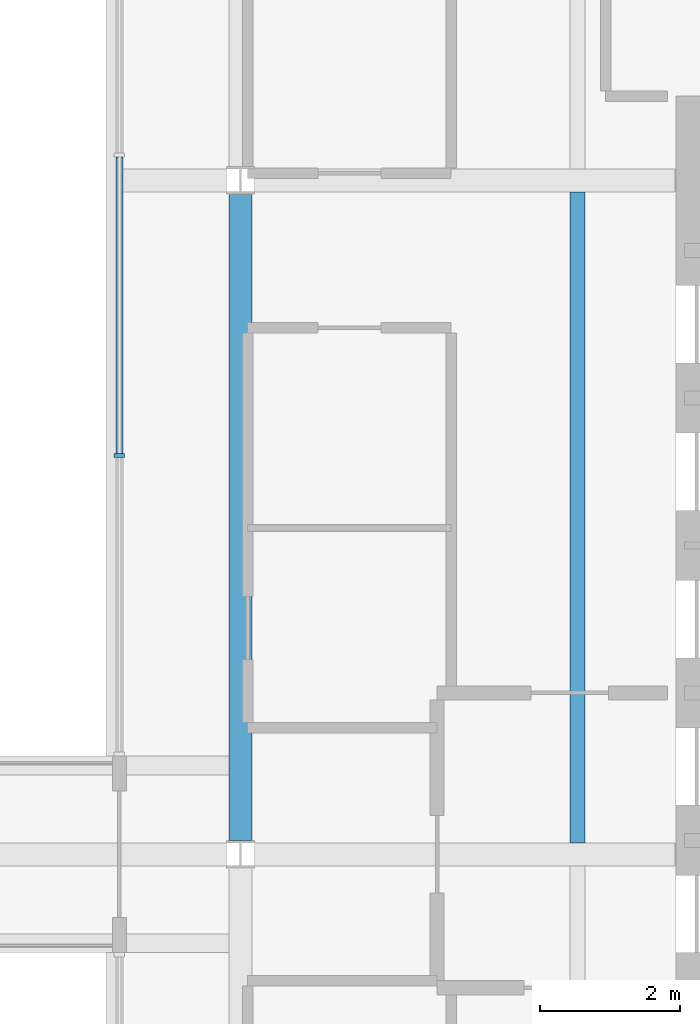
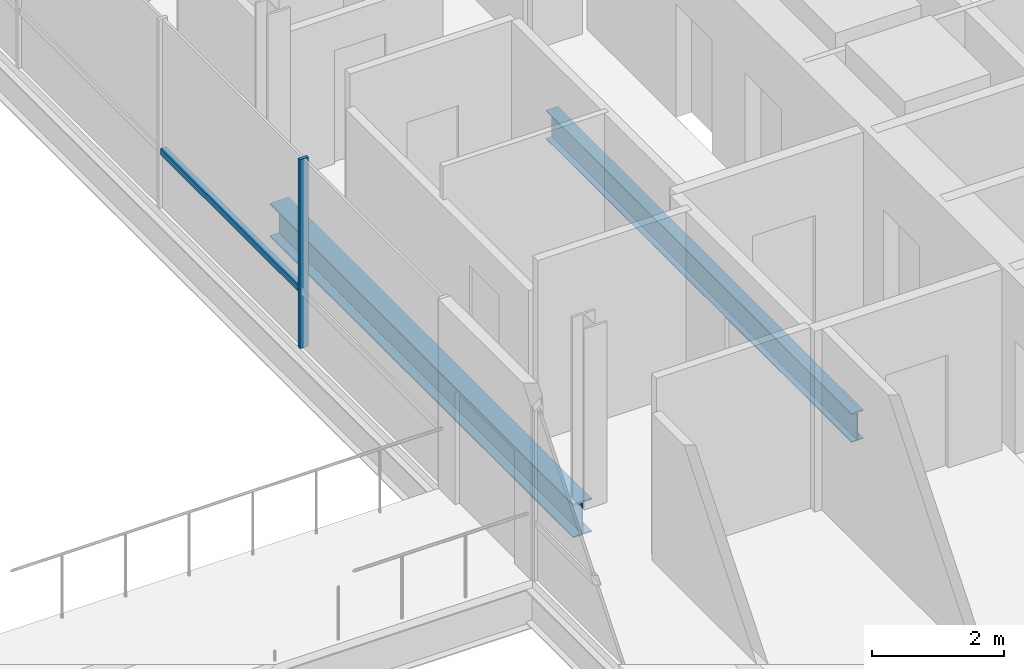
# One storey, part 5 of 17: 2 beams, 2 members, 1 element without a shape of its own.
"""IFC4 building model written with IfcOpenShell, lengths in metres."""

from ifc_helpers import new_model, si_unit, direction, frame, origin, origin_2d, place, context, subcontext, project, spatial, rectangle, i_section, extrude, material, material_profile, profile_set, type_object, element, aggregate, save


model = new_model("IFC4")

# Units and contexts
model_context = context("Model", 3, precision=1e-05, world=origin(), true_north=direction((0.0, 1.0)))
body_context = subcontext(model_context, "Body", "Model", "MODEL_VIEW")
ifc_project = project(units=[si_unit("LENGTHUNIT", "METRE"), si_unit("AREAUNIT", "SQUARE_METRE"), si_unit("VOLUMEUNIT", "CUBIC_METRE"), si_unit("PLANEANGLEUNIT", "RADIAN"), si_unit("MASSUNIT", "GRAM", prefix="KILO")], contexts=[model_context])

# Site, building, storey
site_placement = place(None, origin())
site = spatial("IfcSite", under=ifc_project, at=site_placement, CompositionType="ELEMENT")
building_placement = place(site_placement, origin())
building = spatial("IfcBuilding", under=site, at=building_placement, Name="Cobrizo Arcos Hotel Tower", CompositionType="ELEMENT")
storey_placement = place(building_placement, frame((0.0, 0.0, 131.0)))
storey = spatial("IfcBuildingStorey", under=building, at=storey_placement, Name="L33", CompositionType="ELEMENT", Elevation=131.0)

# Curtain wall, members
ifc_material_1 = material(Name="Aluminium 6063-T6 anodised bronze", Category="aluminium")
curtain_wall_type = type_object("IfcCurtainWallType", Name="CW-F void screen", PredefinedType="NOTDEFINED", material=ifc_material_1)
curtain_wall_placement = place(storey_placement, origin())
curtain_wall = element("IfcCurtainWall", 1, at=curtain_wall_placement, inside=storey, type_object=curtain_wall_type, Name="CW-F L33 void screen B", PredefinedType="NOTDEFINED")
ifc_material_profile_1 = material_profile(ifc_material_1, rectangle(XDim=0.14990234375, YDim=0.06005859375, at=origin_2d()), Name="CW-F mullion 150x60")
ifc_profile_set_1 = profile_set([ifc_material_profile_1], Name="Aluminium 6063-T6 anodised bronze")
member_type_1 = type_object("IfcMemberType", Name="CW-F mullion 150x60", PredefinedType="MULLION", material=ifc_profile_set_1)
member_1_placement = place(storey_placement, frame((7.875, 5.679931640625, 0.0), z_axis=(0.0, 0.0, 1.0), x_axis=(1.0, 0.0, 0.0)))
member_1 = element("IfcMember", 2, at=member_1_placement, type_object=member_type_1, Name="CW-F mullion 2", PredefinedType="MULLION", context=body_context, shape_type="SweptSolid", body=[
    extrude(rectangle(XDim=0.14990234375, YDim=0.06005859375, at=origin_2d()), origin(), (0.0, 0.0, 1.0), 3.5),
])
ifc_material_profile_2 = material_profile(ifc_material_1, rectangle(XDim=0.10009765625, YDim=0.1201171875, at=origin_2d()), Name="CW-F transom 120x100")
ifc_profile_set_2 = profile_set([ifc_material_profile_2], Name="Aluminium 6063-T6 anodised bronze")
member_type_2 = type_object("IfcMemberType", Name="CW-F transom 120x100", PredefinedType="USERDEFINED", material=ifc_profile_set_2)
member_2_placement = place(storey_placement, frame((7.875, 5.7099609375, 1.050048828125), z_axis=(0.0, 1.0, 0.0), x_axis=(-1.0, 0.0, 0.0)))
member_2 = element("IfcMember", 3, at=member_2_placement, type_object=member_type_2, Name="CW-F transom 2652", ObjectType="TRANSOM", PredefinedType="USERDEFINED", context=body_context, shape_type="SweptSolid", body=[
    extrude(rectangle(XDim=0.10009765625, YDim=0.1201171875, at=origin_2d()), origin(), (0.0, 0.0, 1.0), 4.219970703125),
])
aggregate(curtain_wall, [member_1, member_2])

# Beams
ifc_material_2 = material(Name="Steel ASTM A992 Grade 50", Category="steel")
ifc_material_profile_3 = material_profile(ifc_material_2, i_section(OverallWidth=0.209228515625, OverallDepth=0.533447265625, WebThickness=0.01025390625, FlangeThickness=0.015625, at=origin_2d()), Name="W21X62")
ifc_profile_set_3 = profile_set([ifc_material_profile_3], Name="Steel ASTM A992 Grade 50")
beam_type_1 = type_object("IfcBeamType", Name="W21X62 joist", PredefinedType="JOIST", material=ifc_profile_set_3)
beam_1_placement = place(storey_placement, frame((14.39990234375, 0.163818359375, -0.416748046875), z_axis=(0.0, 1.0, 0.0), x_axis=(-1.0, 0.0, 0.0)))
element("IfcBeam", 4, at=beam_1_placement, inside=storey, type_object=beam_type_1, Name="Floor joist J1, L33, no. 009", PredefinedType="JOIST", context=body_context, shape_type="SweptSolid", body=[
    extrude(i_section(OverallWidth=0.209228515625, OverallDepth=0.533447265625, WebThickness=0.01025390625, FlangeThickness=0.015625, at=origin_2d()), origin(), (0.0, 0.0, 1.0), 9.272216796875),
])
ifc_material_profile_4 = material_profile(ifc_material_2, i_section(OverallWidth=0.32763671875, OverallDepth=0.622314453125, WebThickness=0.015380859375, FlangeThickness=0.0244140625, at=origin_2d()), Name="W24X131")
ifc_profile_set_4 = profile_set([ifc_material_profile_4], Name="Steel ASTM A992 Grade 50")
beam_type_2 = type_object("IfcBeamType", Name="W24X131 girder", PredefinedType="BEAM", material=ifc_profile_set_4)
beam_2_placement = place(storey_placement, frame((9.60009765625, 0.199462890625, -0.461181640625), z_axis=(0.0, 1.0, 0.0), x_axis=(-1.0, 0.0, 0.0)))
element("IfcBeam", 5, at=beam_2_placement, inside=storey, type_object=beam_type_2, Name="Floor girder G1, L33, no. 018", PredefinedType="BEAM", context=body_context, shape_type="SweptSolid", body=[
    extrude(i_section(OverallWidth=0.32763671875, OverallDepth=0.622314453125, WebThickness=0.015380859375, FlangeThickness=0.0244140625, at=origin_2d()), origin(), (0.0, 0.0, 1.0), 9.201171875),
])

save(model, "model.ifc")
